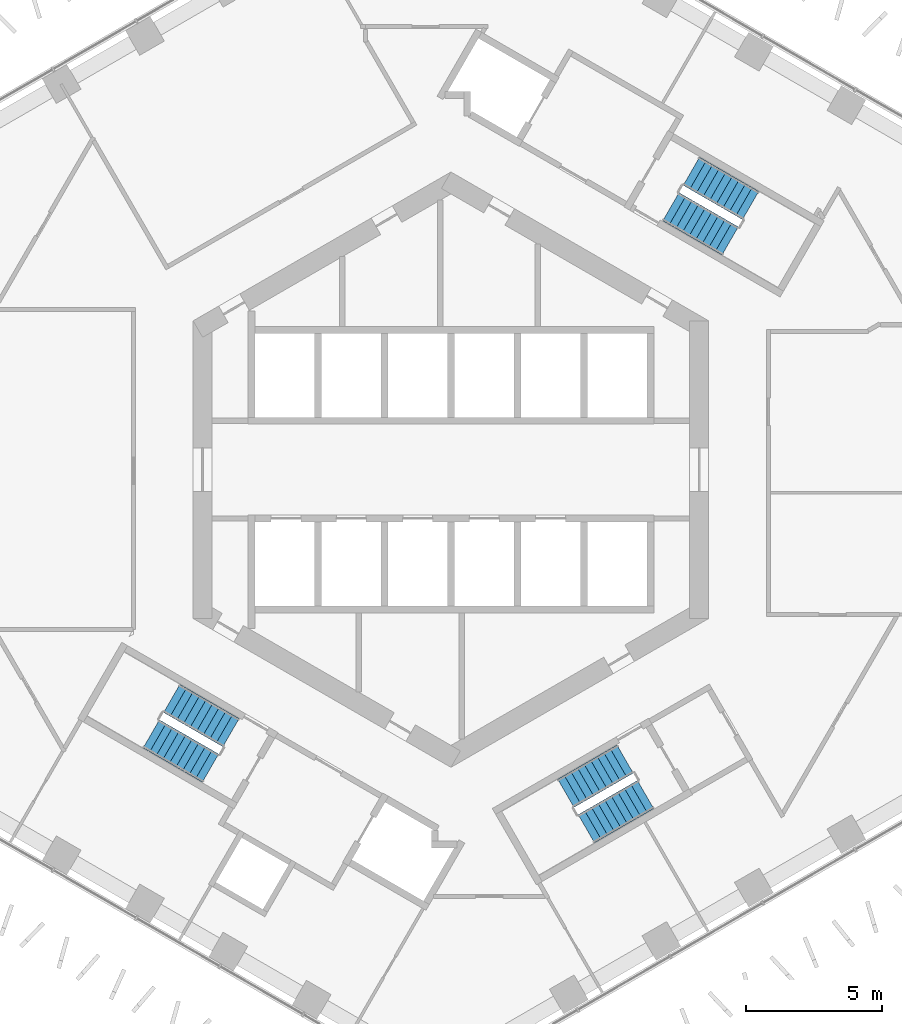
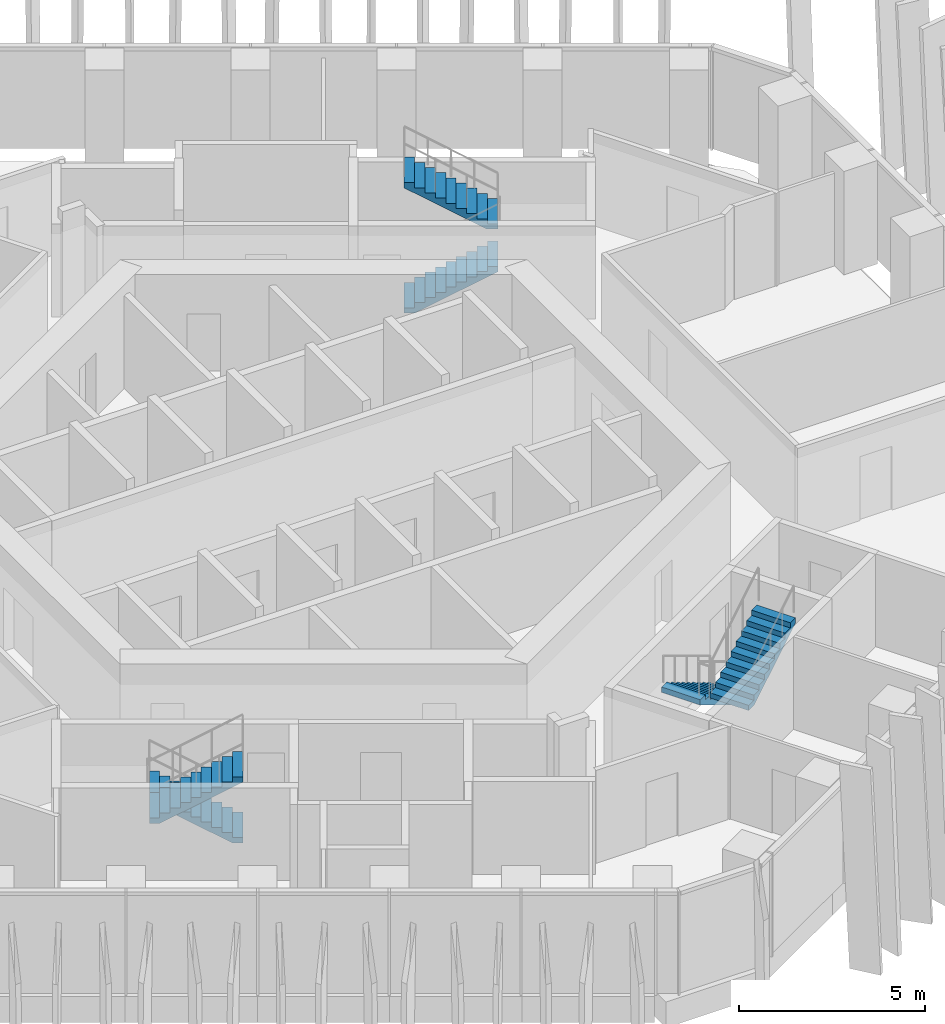
# One storey, part 16 of 19: 6 stair flights, 3 elements without a shape of their own.
"""IFC4 building model written with IfcOpenShell, lengths in metres."""

from ifc_helpers import new_model, si_unit, direction, frame, origin, place, context, subcontext, project, spatial, triangles, material, type_object, element, aggregate, save


model = new_model("IFC4")

# Units and contexts
model_context = context("Model", 3, precision=1e-05, world=origin(), true_north=direction((0.0, 1.0)))
body_context = subcontext(model_context, "Body", "Model", "MODEL_VIEW")
ifc_project = project(units=[si_unit("LENGTHUNIT", "METRE"), si_unit("AREAUNIT", "SQUARE_METRE"), si_unit("VOLUMEUNIT", "CUBIC_METRE"), si_unit("PLANEANGLEUNIT", "RADIAN"), si_unit("MASSUNIT", "GRAM", prefix="KILO")], contexts=[model_context])

# Site, building, storey
site_placement = place(None, origin())
site = spatial("IfcSite", under=ifc_project, at=site_placement, CompositionType="ELEMENT")
building_placement = place(site_placement, origin())
building = spatial("IfcBuilding", under=site, at=building_placement, Name="Ayvan Gate Tower", CompositionType="ELEMENT")
storey_placement = place(building_placement, frame((0.0, 0.0, 113.699951171875)))
storey = spatial("IfcBuildingStorey", under=building, at=storey_placement, Name="L30", CompositionType="ELEMENT", Elevation=113.699951171875)

# Stair, stair flights
ifc_material = material(Name="Concrete C40/50", Category="concrete")
stair_type = type_object("IfcStairType", Name="ST-EXIT", PredefinedType="HALF_TURN_STAIR", material=ifc_material)
stair_1_placement = place(storey_placement, origin())
stair_1 = element("IfcStair", 1, at=stair_1_placement, inside=storey, type_object=stair_type, Name="L30 Exit Stair S1", PredefinedType="HALF_TURN_STAIR")
stair_flight_type = type_object("IfcStairFlightType", Name="SFL-EXIT", PredefinedType="STRAIGHT", material=ifc_material)
stair_flight_1_placement = place(storey_placement, frame((8.106201171875, 9.690185546875, 0.0), z_axis=(0.0, 0.0, 1.0), x_axis=(0.866025403784, -0.5, 0.0)))
stair_flight_1 = element("IfcStairFlight", 2, at=stair_flight_1_placement, type_object=stair_flight_type, Name="STS1 flight 1", NumberOfRisers=10, NumberOfTreads=9, PredefinedType="STRAIGHT", RiserHeight=0.17, TreadLength=0.28, context=body_context, shape_type="Tessellation", body=[
    triangles([(0.288841, -0.599976, 0.0), (2.5205, -0.599976, 1.354936), (2.5205, -0.599976, 1.53), (2.24, -0.599976, 1.53), (2.24, -0.599976, 1.36), (1.96, -0.599976, 1.36), (1.96, -0.599976, 1.19), (1.68, -0.599976, 1.19), (1.68, -0.599976, 1.02), (1.4, -0.599976, 1.02), (1.4, -0.599976, 0.85), (1.12, -0.599976, 0.85), (1.12, -0.599976, 0.68), (0.84, -0.599976, 0.68), (0.84, -0.599976, 0.51), (0.56, -0.599976, 0.51), (0.56, -0.599976, 0.34), (0.28, -0.599976, 0.34), (0.28, -0.599976, 0.17), (-0.0005, -0.599976, 0.17), (-0.0005, -0.599976, 0.0), (0.288841, 0.0, 0.0), (2.5205, 0.0, 1.354936), (2.5205, 0.0, 1.53), (2.24, 0.0, 1.53), (2.24, 0.0, 1.36), (1.96, 0.0, 1.36), (1.96, 0.0, 1.19), (1.68, 0.0, 1.19), (1.68, 0.0, 1.02), (1.4, 0.0, 1.02), (1.4, 0.0, 0.85), (1.12, 0.0, 0.85), (1.12, 0.0, 0.68), (0.84, 0.0, 0.68), (0.84, 0.0, 0.51), (0.56, 0.0, 0.51), (0.56, 0.0, 0.34), (0.28, 0.0, 0.34), (0.28, 0.0, 0.17), (-0.0005, 0.0, 0.17), (-0.0005, 0.0, 0.0), (0.288841, 0.599976, 0.0), (2.5205, 0.599976, 1.354936), (2.5205, 0.599976, 1.53), (2.24, 0.599976, 1.53), (2.24, 0.599976, 1.36), (1.96, 0.599976, 1.36), (1.96, 0.599976, 1.19), (1.68, 0.599976, 1.19), (1.68, 0.599976, 1.02), (1.4, 0.599976, 1.02), (1.4, 0.599976, 0.85), (1.12, 0.599976, 0.85), (1.12, 0.599976, 0.68), (0.84, 0.599976, 0.68), (0.84, 0.599976, 0.51), (0.56, 0.599976, 0.51), (0.56, 0.599976, 0.34), (0.28, 0.599976, 0.34), (0.28, 0.599976, 0.17), (-0.0005, 0.599976, 0.17), (-0.0005, 0.599976, 0.0)], [[21, 1, 2], [63, 44, 43], [2, 3, 4], [44, 46, 45], [2, 4, 5], [44, 47, 46], [2, 5, 6], [44, 48, 47], [2, 6, 7], [44, 49, 48], [7, 8, 9], [49, 51, 50], [2, 7, 9], [44, 51, 49], [9, 10, 11], [51, 53, 52], [2, 9, 11], [44, 53, 51], [11, 12, 13], [53, 55, 54], [2, 11, 13], [44, 55, 53], [13, 14, 15], [55, 57, 56], [2, 13, 15], [44, 57, 55], [15, 16, 17], [57, 59, 58], [2, 15, 17], [44, 59, 57], [17, 18, 19], [59, 61, 60], [2, 17, 19], [44, 61, 59], [21, 2, 19], [63, 61, 44], [19, 20, 21], [61, 63, 62], [1, 22, 23], [1, 23, 2], [43, 23, 22], [43, 44, 23], [2, 23, 24], [2, 24, 3], [44, 24, 23], [44, 45, 24], [3, 24, 25], [3, 25, 4], [45, 25, 24], [45, 46, 25], [4, 25, 26], [4, 26, 5], [46, 26, 25], [46, 47, 26], [5, 26, 27], [5, 27, 6], [47, 27, 26], [47, 48, 27], [6, 27, 28], [6, 28, 7], [48, 28, 27], [48, 49, 28], [7, 28, 29], [7, 29, 8], [49, 29, 28], [49, 50, 29], [8, 29, 30], [8, 30, 9], [50, 30, 29], [50, 51, 30], [9, 30, 31], [9, 31, 10], [51, 31, 30], [51, 52, 31], [10, 31, 32], [10, 32, 11], [52, 32, 31], [52, 53, 32], [11, 32, 33], [11, 33, 12], [53, 33, 32], [53, 54, 33], [12, 33, 34], [12, 34, 13], [54, 34, 33], [54, 55, 34], [13, 34, 35], [13, 35, 14], [55, 35, 34], [55, 56, 35], [14, 35, 36], [14, 36, 15], [56, 36, 35], [56, 57, 36], [15, 36, 37], [15, 37, 16], [57, 37, 36], [57, 58, 37], [16, 37, 38], [16, 38, 17], [58, 38, 37], [58, 59, 38], [17, 38, 39], [17, 39, 18], [59, 39, 38], [59, 60, 39], [18, 39, 40], [18, 40, 19], [60, 40, 39], [60, 61, 40], [19, 40, 41], [19, 41, 20], [61, 41, 40], [61, 62, 41], [20, 41, 42], [20, 42, 21], [62, 42, 41], [62, 63, 42], [21, 42, 22], [21, 22, 1], [63, 22, 42], [63, 43, 22]], closed=True),
])
stair_flight_2_placement = place(storey_placement, frame((11.04345703125, 9.73779296875, 1.699951171875), z_axis=(0.0, 0.0, 1.0), x_axis=(-0.866025403784, 0.5, 0.0)))
stair_flight_2 = element("IfcStairFlight", 3, at=stair_flight_2_placement, type_object=stair_flight_type, Name="STS1 flight 2", NumberOfRisers=10, NumberOfTreads=9, PredefinedType="STRAIGHT", RiserHeight=0.17, TreadLength=0.28, context=body_context, shape_type="Tessellation", body=[
    triangles([(0.288841, -0.599976, 0.0), (2.5205, -0.599976, 1.354936), (2.5205, -0.599976, 1.53), (2.24, -0.599976, 1.53), (2.24, -0.599976, 1.36), (1.96, -0.599976, 1.36), (1.96, -0.599976, 1.19), (1.68, -0.599976, 1.19), (1.68, -0.599976, 1.02), (1.4, -0.599976, 1.02), (1.4, -0.599976, 0.85), (1.12, -0.599976, 0.85), (1.12, -0.599976, 0.68), (0.84, -0.599976, 0.68), (0.84, -0.599976, 0.51), (0.56, -0.599976, 0.51), (0.56, -0.599976, 0.34), (0.28, -0.599976, 0.34), (0.28, -0.599976, 0.17), (-0.0005, -0.599976, 0.17), (-0.0005, -0.599976, 0.0), (0.288841, 0.0, 0.0), (2.5205, 0.0, 1.354936), (2.5205, 0.0, 1.53), (2.24, 0.0, 1.53), (2.24, 0.0, 1.36), (1.96, 0.0, 1.36), (1.96, 0.0, 1.19), (1.68, 0.0, 1.19), (1.68, 0.0, 1.02), (1.4, 0.0, 1.02), (1.4, 0.0, 0.85), (1.12, 0.0, 0.85), (1.12, 0.0, 0.68), (0.84, 0.0, 0.68), (0.84, 0.0, 0.51), (0.56, 0.0, 0.51), (0.56, 0.0, 0.34), (0.28, 0.0, 0.34), (0.28, 0.0, 0.17), (-0.0005, 0.0, 0.17), (-0.0005, 0.0, 0.0), (0.288841, 0.599976, 0.0), (2.5205, 0.599976, 1.354936), (2.5205, 0.599976, 1.53), (2.24, 0.599976, 1.53), (2.24, 0.599976, 1.36), (1.96, 0.599976, 1.36), (1.96, 0.599976, 1.19), (1.68, 0.599976, 1.19), (1.68, 0.599976, 1.02), (1.4, 0.599976, 1.02), (1.4, 0.599976, 0.85), (1.12, 0.599976, 0.85), (1.12, 0.599976, 0.68), (0.84, 0.599976, 0.68), (0.84, 0.599976, 0.51), (0.56, 0.599976, 0.51), (0.56, 0.599976, 0.34), (0.28, 0.599976, 0.34), (0.28, 0.599976, 0.17), (-0.0005, 0.599976, 0.17), (-0.0005, 0.599976, 0.0)], [[21, 1, 2], [63, 44, 43], [2, 3, 4], [44, 46, 45], [2, 4, 5], [44, 47, 46], [2, 5, 6], [44, 48, 47], [2, 6, 7], [44, 49, 48], [7, 8, 9], [49, 51, 50], [2, 7, 9], [44, 51, 49], [9, 10, 11], [51, 53, 52], [2, 9, 11], [44, 53, 51], [11, 12, 13], [53, 55, 54], [2, 11, 13], [44, 55, 53], [13, 14, 15], [55, 57, 56], [2, 13, 15], [44, 57, 55], [15, 16, 17], [57, 59, 58], [2, 15, 17], [44, 59, 57], [17, 18, 19], [59, 61, 60], [2, 17, 19], [44, 61, 59], [21, 2, 19], [63, 61, 44], [19, 20, 21], [61, 63, 62], [1, 22, 23], [1, 23, 2], [43, 23, 22], [43, 44, 23], [2, 23, 24], [2, 24, 3], [44, 24, 23], [44, 45, 24], [3, 24, 25], [3, 25, 4], [45, 25, 24], [45, 46, 25], [4, 25, 26], [4, 26, 5], [46, 26, 25], [46, 47, 26], [5, 26, 27], [5, 27, 6], [47, 27, 26], [47, 48, 27], [6, 27, 28], [6, 28, 7], [48, 28, 27], [48, 49, 28], [7, 28, 29], [7, 29, 8], [49, 29, 28], [49, 50, 29], [8, 29, 30], [8, 30, 9], [50, 30, 29], [50, 51, 30], [9, 30, 31], [9, 31, 10], [51, 31, 30], [51, 52, 31], [10, 31, 32], [10, 32, 11], [52, 32, 31], [52, 53, 32], [11, 32, 33], [11, 33, 12], [53, 33, 32], [53, 54, 33], [12, 33, 34], [12, 34, 13], [54, 34, 33], [54, 55, 34], [13, 34, 35], [13, 35, 14], [55, 35, 34], [55, 56, 35], [14, 35, 36], [14, 36, 15], [56, 36, 35], [56, 57, 36], [15, 36, 37], [15, 37, 16], [57, 37, 36], [57, 58, 37], [16, 37, 38], [16, 38, 17], [58, 38, 37], [58, 59, 38], [17, 38, 39], [17, 39, 18], [59, 39, 38], [59, 60, 39], [18, 39, 40], [18, 40, 19], [60, 40, 39], [60, 61, 40], [19, 40, 41], [19, 41, 20], [61, 41, 40], [61, 62, 41], [20, 41, 42], [20, 42, 21], [62, 42, 41], [62, 63, 42], [21, 42, 22], [21, 22, 1], [63, 22, 42], [63, 43, 22]], closed=True),
])
aggregate(stair_1, [stair_flight_1, stair_flight_2])

stair_2_placement = place(storey_placement, origin())
stair_2 = element("IfcStair", 4, at=stair_2_placement, inside=storey, type_object=stair_type, Name="L30 Exit Stair S2", PredefinedType="HALF_TURN_STAIR")
stair_flight_3_placement = place(storey_placement, frame((-8.106201171875, -9.690185546875, 0.0), z_axis=(0.0, 0.0, 1.0), x_axis=(-0.866025403784, 0.5, 0.0)))
stair_flight_3 = element("IfcStairFlight", 5, at=stair_flight_3_placement, type_object=stair_flight_type, Name="STS2 flight 1", NumberOfRisers=10, NumberOfTreads=9, PredefinedType="STRAIGHT", RiserHeight=0.17, TreadLength=0.28, context=body_context, shape_type="Tessellation", body=[
    triangles([(0.288841, -0.599976, 0.0), (2.5205, -0.599976, 1.354936), (2.5205, -0.599976, 1.53), (2.24, -0.599976, 1.53), (2.24, -0.599976, 1.36), (1.96, -0.599976, 1.36), (1.96, -0.599976, 1.19), (1.68, -0.599976, 1.19), (1.68, -0.599976, 1.02), (1.4, -0.599976, 1.02), (1.4, -0.599976, 0.85), (1.12, -0.599976, 0.85), (1.12, -0.599976, 0.68), (0.84, -0.599976, 0.68), (0.84, -0.599976, 0.51), (0.56, -0.599976, 0.51), (0.56, -0.599976, 0.34), (0.28, -0.599976, 0.34), (0.28, -0.599976, 0.17), (-0.0005, -0.599976, 0.17), (-0.0005, -0.599976, 0.0), (0.288841, 0.0, 0.0), (2.5205, 0.0, 1.354936), (2.5205, 0.0, 1.53), (2.24, 0.0, 1.53), (2.24, 0.0, 1.36), (1.96, 0.0, 1.36), (1.96, 0.0, 1.19), (1.68, 0.0, 1.19), (1.68, 0.0, 1.02), (1.4, 0.0, 1.02), (1.4, 0.0, 0.85), (1.12, 0.0, 0.85), (1.12, 0.0, 0.68), (0.84, 0.0, 0.68), (0.84, 0.0, 0.51), (0.56, 0.0, 0.51), (0.56, 0.0, 0.34), (0.28, 0.0, 0.34), (0.28, 0.0, 0.17), (-0.0005, 0.0, 0.17), (-0.0005, 0.0, 0.0), (0.288841, 0.599976, 0.0), (2.5205, 0.599976, 1.354936), (2.5205, 0.599976, 1.53), (2.24, 0.599976, 1.53), (2.24, 0.599976, 1.36), (1.96, 0.599976, 1.36), (1.96, 0.599976, 1.19), (1.68, 0.599976, 1.19), (1.68, 0.599976, 1.02), (1.4, 0.599976, 1.02), (1.4, 0.599976, 0.85), (1.12, 0.599976, 0.85), (1.12, 0.599976, 0.68), (0.84, 0.599976, 0.68), (0.84, 0.599976, 0.51), (0.56, 0.599976, 0.51), (0.56, 0.599976, 0.34), (0.28, 0.599976, 0.34), (0.28, 0.599976, 0.17), (-0.0005, 0.599976, 0.17), (-0.0005, 0.599976, 0.0)], [[21, 1, 2], [63, 44, 43], [2, 3, 4], [44, 46, 45], [2, 4, 5], [44, 47, 46], [2, 5, 6], [44, 48, 47], [2, 6, 7], [44, 49, 48], [7, 8, 9], [49, 51, 50], [2, 7, 9], [44, 51, 49], [9, 10, 11], [51, 53, 52], [2, 9, 11], [44, 53, 51], [11, 12, 13], [53, 55, 54], [2, 11, 13], [44, 55, 53], [13, 14, 15], [55, 57, 56], [2, 13, 15], [44, 57, 55], [15, 16, 17], [57, 59, 58], [2, 15, 17], [44, 59, 57], [17, 18, 19], [59, 61, 60], [2, 17, 19], [44, 61, 59], [21, 2, 19], [63, 61, 44], [19, 20, 21], [61, 63, 62], [1, 22, 23], [1, 23, 2], [43, 23, 22], [43, 44, 23], [2, 23, 24], [2, 24, 3], [44, 24, 23], [44, 45, 24], [3, 24, 25], [3, 25, 4], [45, 25, 24], [45, 46, 25], [4, 25, 26], [4, 26, 5], [46, 26, 25], [46, 47, 26], [5, 26, 27], [5, 27, 6], [47, 27, 26], [47, 48, 27], [6, 27, 28], [6, 28, 7], [48, 28, 27], [48, 49, 28], [7, 28, 29], [7, 29, 8], [49, 29, 28], [49, 50, 29], [8, 29, 30], [8, 30, 9], [50, 30, 29], [50, 51, 30], [9, 30, 31], [9, 31, 10], [51, 31, 30], [51, 52, 31], [10, 31, 32], [10, 32, 11], [52, 32, 31], [52, 53, 32], [11, 32, 33], [11, 33, 12], [53, 33, 32], [53, 54, 33], [12, 33, 34], [12, 34, 13], [54, 34, 33], [54, 55, 34], [13, 34, 35], [13, 35, 14], [55, 35, 34], [55, 56, 35], [14, 35, 36], [14, 36, 15], [56, 36, 35], [56, 57, 36], [15, 36, 37], [15, 37, 16], [57, 37, 36], [57, 58, 37], [16, 37, 38], [16, 38, 17], [58, 38, 37], [58, 59, 38], [17, 38, 39], [17, 39, 18], [59, 39, 38], [59, 60, 39], [18, 39, 40], [18, 40, 19], [60, 40, 39], [60, 61, 40], [19, 40, 41], [19, 41, 20], [61, 41, 40], [61, 62, 41], [20, 41, 42], [20, 42, 21], [62, 42, 41], [62, 63, 42], [21, 42, 22], [21, 22, 1], [63, 22, 42], [63, 43, 22]], closed=True),
])
stair_flight_4_placement = place(storey_placement, frame((-11.04345703125, -9.73779296875, 1.699951171875), z_axis=(0.0, 0.0, 1.0), x_axis=(0.866025403784, -0.5, 0.0)))
stair_flight_4 = element("IfcStairFlight", 6, at=stair_flight_4_placement, type_object=stair_flight_type, Name="STS2 flight 2", NumberOfRisers=10, NumberOfTreads=9, PredefinedType="STRAIGHT", RiserHeight=0.17, TreadLength=0.28, context=body_context, shape_type="Tessellation", body=[
    triangles([(0.288841, -0.599976, 0.0), (2.5205, -0.599976, 1.354936), (2.5205, -0.599976, 1.53), (2.24, -0.599976, 1.53), (2.24, -0.599976, 1.36), (1.96, -0.599976, 1.36), (1.96, -0.599976, 1.19), (1.68, -0.599976, 1.19), (1.68, -0.599976, 1.02), (1.4, -0.599976, 1.02), (1.4, -0.599976, 0.85), (1.12, -0.599976, 0.85), (1.12, -0.599976, 0.68), (0.84, -0.599976, 0.68), (0.84, -0.599976, 0.51), (0.56, -0.599976, 0.51), (0.56, -0.599976, 0.34), (0.28, -0.599976, 0.34), (0.28, -0.599976, 0.17), (-0.0005, -0.599976, 0.17), (-0.0005, -0.599976, 0.0), (0.288841, 0.0, 0.0), (2.5205, 0.0, 1.354936), (2.5205, 0.0, 1.53), (2.24, 0.0, 1.53), (2.24, 0.0, 1.36), (1.96, 0.0, 1.36), (1.96, 0.0, 1.19), (1.68, 0.0, 1.19), (1.68, 0.0, 1.02), (1.4, 0.0, 1.02), (1.4, 0.0, 0.85), (1.12, 0.0, 0.85), (1.12, 0.0, 0.68), (0.84, 0.0, 0.68), (0.84, 0.0, 0.51), (0.56, 0.0, 0.51), (0.56, 0.0, 0.34), (0.28, 0.0, 0.34), (0.28, 0.0, 0.17), (-0.0005, 0.0, 0.17), (-0.0005, 0.0, 0.0), (0.288841, 0.599976, 0.0), (2.5205, 0.599976, 1.354936), (2.5205, 0.599976, 1.53), (2.24, 0.599976, 1.53), (2.24, 0.599976, 1.36), (1.96, 0.599976, 1.36), (1.96, 0.599976, 1.19), (1.68, 0.599976, 1.19), (1.68, 0.599976, 1.02), (1.4, 0.599976, 1.02), (1.4, 0.599976, 0.85), (1.12, 0.599976, 0.85), (1.12, 0.599976, 0.68), (0.84, 0.599976, 0.68), (0.84, 0.599976, 0.51), (0.56, 0.599976, 0.51), (0.56, 0.599976, 0.34), (0.28, 0.599976, 0.34), (0.28, 0.599976, 0.17), (-0.0005, 0.599976, 0.17), (-0.0005, 0.599976, 0.0)], [[21, 1, 2], [63, 44, 43], [2, 3, 4], [44, 46, 45], [2, 4, 5], [44, 47, 46], [2, 5, 6], [44, 48, 47], [2, 6, 7], [44, 49, 48], [7, 8, 9], [49, 51, 50], [2, 7, 9], [44, 51, 49], [9, 10, 11], [51, 53, 52], [2, 9, 11], [44, 53, 51], [11, 12, 13], [53, 55, 54], [2, 11, 13], [44, 55, 53], [13, 14, 15], [55, 57, 56], [2, 13, 15], [44, 57, 55], [15, 16, 17], [57, 59, 58], [2, 15, 17], [44, 59, 57], [17, 18, 19], [59, 61, 60], [2, 17, 19], [44, 61, 59], [21, 2, 19], [63, 61, 44], [19, 20, 21], [61, 63, 62], [1, 22, 23], [1, 23, 2], [43, 23, 22], [43, 44, 23], [2, 23, 24], [2, 24, 3], [44, 24, 23], [44, 45, 24], [3, 24, 25], [3, 25, 4], [45, 25, 24], [45, 46, 25], [4, 25, 26], [4, 26, 5], [46, 26, 25], [46, 47, 26], [5, 26, 27], [5, 27, 6], [47, 27, 26], [47, 48, 27], [6, 27, 28], [6, 28, 7], [48, 28, 27], [48, 49, 28], [7, 28, 29], [7, 29, 8], [49, 29, 28], [49, 50, 29], [8, 29, 30], [8, 30, 9], [50, 30, 29], [50, 51, 30], [9, 30, 31], [9, 31, 10], [51, 31, 30], [51, 52, 31], [10, 31, 32], [10, 32, 11], [52, 32, 31], [52, 53, 32], [11, 32, 33], [11, 33, 12], [53, 33, 32], [53, 54, 33], [12, 33, 34], [12, 34, 13], [54, 34, 33], [54, 55, 34], [13, 34, 35], [13, 35, 14], [55, 35, 34], [55, 56, 35], [14, 35, 36], [14, 36, 15], [56, 36, 35], [56, 57, 36], [15, 36, 37], [15, 37, 16], [57, 37, 36], [57, 58, 37], [16, 37, 38], [16, 38, 17], [58, 38, 37], [58, 59, 38], [17, 38, 39], [17, 39, 18], [59, 39, 38], [59, 60, 39], [18, 39, 40], [18, 40, 19], [60, 40, 39], [60, 61, 40], [19, 40, 41], [19, 41, 20], [61, 41, 40], [61, 62, 41], [20, 41, 42], [20, 42, 21], [62, 42, 41], [62, 63, 42], [21, 42, 22], [21, 22, 1], [63, 22, 42], [63, 43, 22]], closed=True),
])
aggregate(stair_2, [stair_flight_3, stair_flight_4])

stair_3_placement = place(storey_placement, origin())
stair_3 = element("IfcStair", 7, at=stair_3_placement, inside=storey, type_object=stair_type, Name="L30 Exit Stair S3", PredefinedType="HALF_TURN_STAIR")
stair_flight_5_placement = place(storey_placement, frame((6.417236328125, -10.665283203125, 0.0), z_axis=(0.0, 0.0, 1.0), x_axis=(-0.866025403784, -0.5, 0.0)))
stair_flight_5 = element("IfcStairFlight", 8, at=stair_flight_5_placement, type_object=stair_flight_type, Name="STS3 flight 1", NumberOfRisers=10, NumberOfTreads=9, PredefinedType="STRAIGHT", RiserHeight=0.17, TreadLength=0.28, context=body_context, shape_type="Tessellation", body=[
    triangles([(0.288841, -0.599976, 0.0), (2.5205, -0.599976, 1.354936), (2.5205, -0.599976, 1.53), (2.24, -0.599976, 1.53), (2.24, -0.599976, 1.36), (1.96, -0.599976, 1.36), (1.96, -0.599976, 1.19), (1.68, -0.599976, 1.19), (1.68, -0.599976, 1.02), (1.4, -0.599976, 1.02), (1.4, -0.599976, 0.85), (1.12, -0.599976, 0.85), (1.12, -0.599976, 0.68), (0.84, -0.599976, 0.68), (0.84, -0.599976, 0.51), (0.56, -0.599976, 0.51), (0.56, -0.599976, 0.34), (0.28, -0.599976, 0.34), (0.28, -0.599976, 0.17), (-0.0005, -0.599976, 0.17), (-0.0005, -0.599976, 0.0), (0.288841, 0.0, 0.0), (2.5205, 0.0, 1.354936), (2.5205, 0.0, 1.53), (2.24, 0.0, 1.53), (2.24, 0.0, 1.36), (1.96, 0.0, 1.36), (1.96, 0.0, 1.19), (1.68, 0.0, 1.19), (1.68, 0.0, 1.02), (1.4, 0.0, 1.02), (1.4, 0.0, 0.85), (1.12, 0.0, 0.85), (1.12, 0.0, 0.68), (0.84, 0.0, 0.68), (0.84, 0.0, 0.51), (0.56, 0.0, 0.51), (0.56, 0.0, 0.34), (0.28, 0.0, 0.34), (0.28, 0.0, 0.17), (-0.0005, 0.0, 0.17), (-0.0005, 0.0, 0.0), (0.288841, 0.599976, 0.0), (2.5205, 0.599976, 1.354936), (2.5205, 0.599976, 1.53), (2.24, 0.599976, 1.53), (2.24, 0.599976, 1.36), (1.96, 0.599976, 1.36), (1.96, 0.599976, 1.19), (1.68, 0.599976, 1.19), (1.68, 0.599976, 1.02), (1.4, 0.599976, 1.02), (1.4, 0.599976, 0.85), (1.12, 0.599976, 0.85), (1.12, 0.599976, 0.68), (0.84, 0.599976, 0.68), (0.84, 0.599976, 0.51), (0.56, 0.599976, 0.51), (0.56, 0.599976, 0.34), (0.28, 0.599976, 0.34), (0.28, 0.599976, 0.17), (-0.0005, 0.599976, 0.17), (-0.0005, 0.599976, 0.0)], [[21, 1, 2], [63, 44, 43], [2, 3, 4], [44, 46, 45], [2, 4, 5], [44, 47, 46], [2, 5, 6], [44, 48, 47], [2, 6, 7], [44, 49, 48], [7, 8, 9], [49, 51, 50], [2, 7, 9], [44, 51, 49], [9, 10, 11], [51, 53, 52], [2, 9, 11], [44, 53, 51], [11, 12, 13], [53, 55, 54], [2, 11, 13], [44, 55, 53], [13, 14, 15], [55, 57, 56], [2, 13, 15], [44, 57, 55], [15, 16, 17], [57, 59, 58], [2, 15, 17], [44, 59, 57], [17, 18, 19], [59, 61, 60], [2, 17, 19], [44, 61, 59], [21, 2, 19], [63, 61, 44], [19, 20, 21], [61, 63, 62], [1, 22, 23], [1, 23, 2], [43, 23, 22], [43, 44, 23], [2, 23, 24], [2, 24, 3], [44, 24, 23], [44, 45, 24], [3, 24, 25], [3, 25, 4], [45, 25, 24], [45, 46, 25], [4, 25, 26], [4, 26, 5], [46, 26, 25], [46, 47, 26], [5, 26, 27], [5, 27, 6], [47, 27, 26], [47, 48, 27], [6, 27, 28], [6, 28, 7], [48, 28, 27], [48, 49, 28], [7, 28, 29], [7, 29, 8], [49, 29, 28], [49, 50, 29], [8, 29, 30], [8, 30, 9], [50, 30, 29], [50, 51, 30], [9, 30, 31], [9, 31, 10], [51, 31, 30], [51, 52, 31], [10, 31, 32], [10, 32, 11], [52, 32, 31], [52, 53, 32], [11, 32, 33], [11, 33, 12], [53, 33, 32], [53, 54, 33], [12, 33, 34], [12, 34, 13], [54, 34, 33], [54, 55, 34], [13, 34, 35], [13, 35, 14], [55, 35, 34], [55, 56, 35], [14, 35, 36], [14, 36, 15], [56, 36, 35], [56, 57, 36], [15, 36, 37], [15, 37, 16], [57, 37, 36], [57, 58, 37], [16, 37, 38], [16, 38, 17], [58, 38, 37], [58, 59, 38], [17, 38, 39], [17, 39, 18], [59, 39, 38], [59, 60, 39], [18, 39, 40], [18, 40, 19], [60, 40, 39], [60, 61, 40], [19, 40, 41], [19, 41, 20], [61, 41, 40], [61, 62, 41], [20, 41, 42], [20, 42, 21], [62, 42, 41], [62, 63, 42], [21, 42, 22], [21, 22, 1], [63, 22, 42], [63, 43, 22]], closed=True),
])
stair_flight_6_placement = place(storey_placement, frame((4.989990234375, -13.23291015625, 1.699951171875), z_axis=(0.0, 0.0, 1.0), x_axis=(0.866025403784, 0.5, 0.0)))
stair_flight_6 = element("IfcStairFlight", 9, at=stair_flight_6_placement, type_object=stair_flight_type, Name="STS3 flight 2", NumberOfRisers=10, NumberOfTreads=9, PredefinedType="STRAIGHT", RiserHeight=0.17, TreadLength=0.28, context=body_context, shape_type="Tessellation", body=[
    triangles([(0.288841, -0.599976, 0.0), (2.5205, -0.599976, 1.354936), (2.5205, -0.599976, 1.53), (2.24, -0.599976, 1.53), (2.24, -0.599976, 1.36), (1.96, -0.599976, 1.36), (1.96, -0.599976, 1.19), (1.68, -0.599976, 1.19), (1.68, -0.599976, 1.02), (1.4, -0.599976, 1.02), (1.4, -0.599976, 0.85), (1.12, -0.599976, 0.85), (1.12, -0.599976, 0.68), (0.84, -0.599976, 0.68), (0.84, -0.599976, 0.51), (0.56, -0.599976, 0.51), (0.56, -0.599976, 0.34), (0.28, -0.599976, 0.34), (0.28, -0.599976, 0.17), (-0.0005, -0.599976, 0.17), (-0.0005, -0.599976, 0.0), (0.288841, 0.0, 0.0), (2.5205, 0.0, 1.354936), (2.5205, 0.0, 1.53), (2.24, 0.0, 1.53), (2.24, 0.0, 1.36), (1.96, 0.0, 1.36), (1.96, 0.0, 1.19), (1.68, 0.0, 1.19), (1.68, 0.0, 1.02), (1.4, 0.0, 1.02), (1.4, 0.0, 0.85), (1.12, 0.0, 0.85), (1.12, 0.0, 0.68), (0.84, 0.0, 0.68), (0.84, 0.0, 0.51), (0.56, 0.0, 0.51), (0.56, 0.0, 0.34), (0.28, 0.0, 0.34), (0.28, 0.0, 0.17), (-0.0005, 0.0, 0.17), (-0.0005, 0.0, 0.0), (0.288841, 0.599976, 0.0), (2.5205, 0.599976, 1.354936), (2.5205, 0.599976, 1.53), (2.24, 0.599976, 1.53), (2.24, 0.599976, 1.36), (1.96, 0.599976, 1.36), (1.96, 0.599976, 1.19), (1.68, 0.599976, 1.19), (1.68, 0.599976, 1.02), (1.4, 0.599976, 1.02), (1.4, 0.599976, 0.85), (1.12, 0.599976, 0.85), (1.12, 0.599976, 0.68), (0.84, 0.599976, 0.68), (0.84, 0.599976, 0.51), (0.56, 0.599976, 0.51), (0.56, 0.599976, 0.34), (0.28, 0.599976, 0.34), (0.28, 0.599976, 0.17), (-0.0005, 0.599976, 0.17), (-0.0005, 0.599976, 0.0)], [[21, 1, 2], [63, 44, 43], [2, 3, 4], [44, 46, 45], [2, 4, 5], [44, 47, 46], [2, 5, 6], [44, 48, 47], [2, 6, 7], [44, 49, 48], [7, 8, 9], [49, 51, 50], [2, 7, 9], [44, 51, 49], [9, 10, 11], [51, 53, 52], [2, 9, 11], [44, 53, 51], [11, 12, 13], [53, 55, 54], [2, 11, 13], [44, 55, 53], [13, 14, 15], [55, 57, 56], [2, 13, 15], [44, 57, 55], [15, 16, 17], [57, 59, 58], [2, 15, 17], [44, 59, 57], [17, 18, 19], [59, 61, 60], [2, 17, 19], [44, 61, 59], [21, 2, 19], [63, 61, 44], [19, 20, 21], [61, 63, 62], [1, 22, 23], [1, 23, 2], [43, 23, 22], [43, 44, 23], [2, 23, 24], [2, 24, 3], [44, 24, 23], [44, 45, 24], [3, 24, 25], [3, 25, 4], [45, 25, 24], [45, 46, 25], [4, 25, 26], [4, 26, 5], [46, 26, 25], [46, 47, 26], [5, 26, 27], [5, 27, 6], [47, 27, 26], [47, 48, 27], [6, 27, 28], [6, 28, 7], [48, 28, 27], [48, 49, 28], [7, 28, 29], [7, 29, 8], [49, 29, 28], [49, 50, 29], [8, 29, 30], [8, 30, 9], [50, 30, 29], [50, 51, 30], [9, 30, 31], [9, 31, 10], [51, 31, 30], [51, 52, 31], [10, 31, 32], [10, 32, 11], [52, 32, 31], [52, 53, 32], [11, 32, 33], [11, 33, 12], [53, 33, 32], [53, 54, 33], [12, 33, 34], [12, 34, 13], [54, 34, 33], [54, 55, 34], [13, 34, 35], [13, 35, 14], [55, 35, 34], [55, 56, 35], [14, 35, 36], [14, 36, 15], [56, 36, 35], [56, 57, 36], [15, 36, 37], [15, 37, 16], [57, 37, 36], [57, 58, 37], [16, 37, 38], [16, 38, 17], [58, 38, 37], [58, 59, 38], [17, 38, 39], [17, 39, 18], [59, 39, 38], [59, 60, 39], [18, 39, 40], [18, 40, 19], [60, 40, 39], [60, 61, 40], [19, 40, 41], [19, 41, 20], [61, 41, 40], [61, 62, 41], [20, 41, 42], [20, 42, 21], [62, 42, 41], [62, 63, 42], [21, 42, 22], [21, 22, 1], [63, 22, 42], [63, 43, 22]], closed=True),
])
aggregate(stair_3, [stair_flight_5, stair_flight_6])

save(model, "model.ifc")
